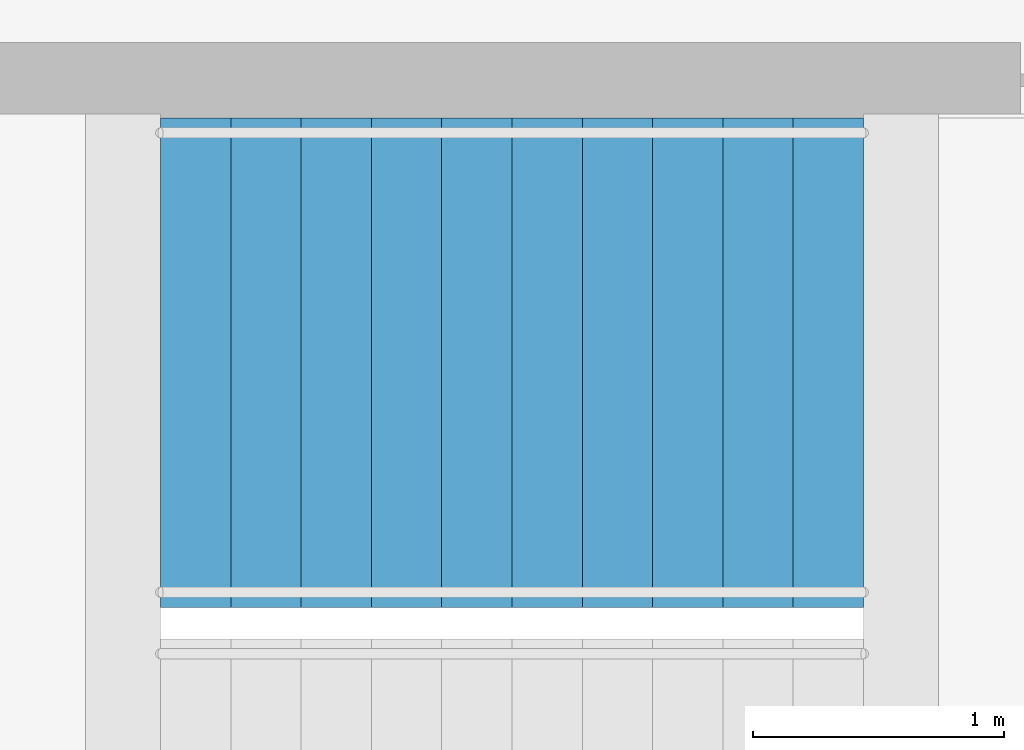
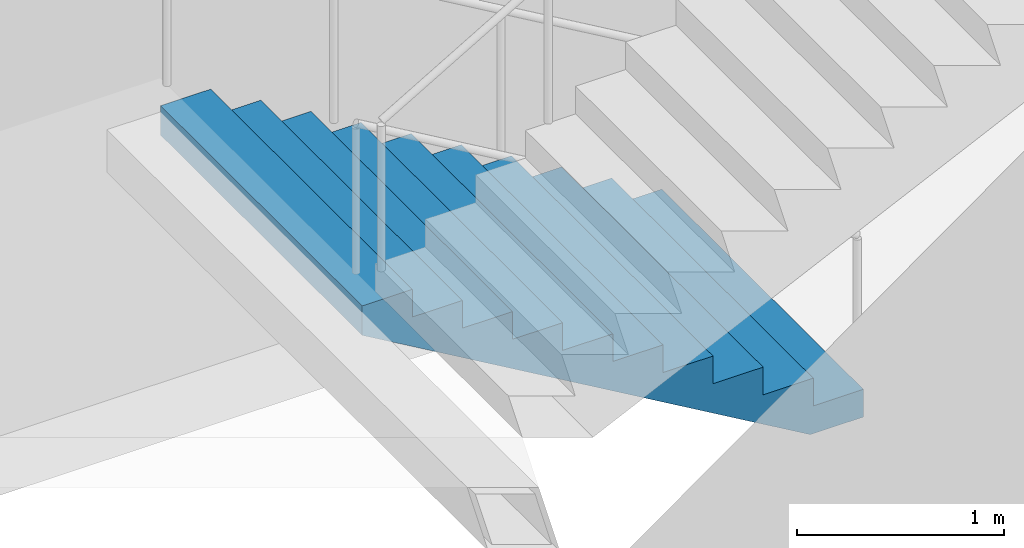
# One storey, part 20 of 22: 1 stair flight, 1 element without a shape of its own.
"""IFC4 building model written with IfcOpenShell, lengths in metres."""

from ifc_helpers import new_model, si_unit, direction, frame, origin, place, context, subcontext, project, spatial, triangles, material, type_object, element, aggregate, save


model = new_model("IFC4")

# Units and contexts
model_context = context("Model", 3, precision=1e-05, world=origin(), true_north=direction((0.0, 1.0)))
body_context = subcontext(model_context, "Body", "Model", "MODEL_VIEW")
ifc_project = project(units=[si_unit("LENGTHUNIT", "METRE"), si_unit("AREAUNIT", "SQUARE_METRE"), si_unit("VOLUMEUNIT", "CUBIC_METRE"), si_unit("PLANEANGLEUNIT", "RADIAN"), si_unit("MASSUNIT", "GRAM", prefix="KILO")], contexts=[model_context])

# Site, building, storey
site_placement = place(None, origin())
site = spatial("IfcSite", under=ifc_project, at=site_placement, CompositionType="ELEMENT")
building_placement = place(site_placement, origin())
building = spatial("IfcBuilding", under=site, at=building_placement, Name="Orbita Commons", CompositionType="ELEMENT")
storey_placement = place(building_placement, frame((0.0, 0.0, 201.10009765625)))
storey = spatial("IfcBuildingStorey", under=building, at=storey_placement, Name="L50", CompositionType="ELEMENT", Elevation=201.10009765625)

# Stair, stair flight
ifc_material_1 = material(Name="Precast concrete C40/50", Category="concrete")
stair_type = type_object("IfcStairType", Name="Exit stair S2 4 flights 11 risers 164", PredefinedType="HALF_TURN_STAIR", material=ifc_material_1)
stair_placement = place(storey_placement, origin())
stair = element("IfcStair", 1, at=stair_placement, inside=storey, type_object=stair_type, Name="Exit stair S2 L50", PredefinedType="HALF_TURN_STAIR")
ifc_material_2 = material(Name="Precast concrete C40/50", Category="concrete")
stair_flight_type = type_object("IfcStairFlightType", Name="Stair flight 11 risers 164 x 280", PredefinedType="STRAIGHT", material=ifc_material_2)
stair_flight_placement = place(storey_placement, frame((63.550048828125, 29.27490234375, 0.0), z_axis=(0.0, 0.0, 1.0), x_axis=(-1.0, 0.0, 0.0)))
stair_flight = element("IfcStairFlight", 2, at=stair_flight_placement, type_object=stair_flight_type, Name="S2 flight 1", NumberOfRisers=11, NumberOfTreads=10, PredefinedType="STRAIGHT", RiserHeight=0.163636364, TreadLength=0.28, context=body_context, shape_type="Tessellation", body=[
    triangles([(0.0, 0.974976, 0.0), (0.0, 0.974976, 0.020455), (0.0, 0.81248, 0.020455), (0.0, 0.81248, 0.0), (0.0, 0.649984, 0.020455), (0.0, 0.649984, 0.0), (0.0, 0.487488, 0.020455), (0.0, 0.487488, 0.0), (0.0, 0.324992, 0.020455), (0.0, 0.324992, 0.0), (0.0, 0.162496, 0.020455), (0.0, 0.162496, 0.0), (0.0, 0.0, 0.020455), (0.0, 0.0, 0.0), (0.0, -0.162496, 0.020455), (0.0, -0.162496, 0.0), (0.0, -0.324992, 0.020455), (0.0, -0.324992, 0.0), (0.0, -0.487488, 0.020455), (0.0, -0.487488, 0.0), (0.0, -0.649984, 0.020455), (0.0, -0.649984, 0.0), (0.0, -0.81248, 0.020455), (0.0, -0.81248, 0.0), (0.0, -0.974976, 0.020455), (0.0, -0.974976, 0.0), (0.0, 0.974976, 0.040909), (0.0, 0.81248, 0.040909), (0.0, 0.649984, 0.040909), (0.0, 0.487488, 0.040909), (0.0, 0.324992, 0.040909), (0.0, 0.162496, 0.040909), (0.0, 0.0, 0.040909), (0.0, -0.162496, 0.040909), (0.0, -0.324992, 0.040909), (0.0, -0.487488, 0.040909), (0.0, -0.649984, 0.040909), (0.0, -0.81248, 0.040909), (0.0, -0.974976, 0.040909), (0.0, 0.974976, 0.061364), (0.0, 0.81248, 0.061364), (0.0, 0.649984, 0.061364), (0.0, 0.487488, 0.061364), (0.0, 0.324992, 0.061364), (0.0, 0.162496, 0.061364), (0.0, 0.0, 0.061364), (0.0, -0.162496, 0.061364), (0.0, -0.324992, 0.061364), (0.0, -0.487488, 0.061364), (0.0, -0.649984, 0.061364), (0.0, -0.81248, 0.061364), (0.0, -0.974976, 0.061364), (0.0, 0.974976, 0.081818), (0.0, 0.81248, 0.081818), (0.0, 0.649984, 0.081818), (0.0, 0.487488, 0.081818), (0.0, 0.324992, 0.081818), (0.0, 0.162496, 0.081818), (0.0, 0.0, 0.081818), (0.0, -0.162496, 0.081818), (0.0, -0.324992, 0.081818), (0.0, -0.487488, 0.081818), (0.0, -0.649984, 0.081818), (0.0, -0.81248, 0.081818), (0.0, -0.974976, 0.081818), (0.0, 0.974976, 0.102273), (0.0, 0.81248, 0.102273), (0.0, 0.649984, 0.102273), (0.0, 0.487488, 0.102273), (0.0, 0.324992, 0.102273), (0.0, 0.162496, 0.102273), (0.0, 0.0, 0.102273), (0.0, -0.162496, 0.102273), (0.0, -0.324992, 0.102273), (0.0, -0.487488, 0.102273), (0.0, -0.649984, 0.102273), (0.0, -0.81248, 0.102273), (0.0, -0.974976, 0.102273), (0.0, 0.974976, 0.122727), (0.0, 0.81248, 0.122727), (0.0, 0.649984, 0.122727), (0.0, 0.487488, 0.122727), (0.0, 0.324992, 0.122727), (0.0, 0.162496, 0.122727), (0.0, 0.0, 0.122727), (0.0, -0.162496, 0.122727), (0.0, -0.324992, 0.122727), (0.0, -0.487488, 0.122727), (0.0, -0.649984, 0.122727), (0.0, -0.81248, 0.122727), (0.0, -0.974976, 0.122727), (0.0, 0.974976, 0.143182), (0.0, 0.81248, 0.143182), (0.0, 0.649984, 0.143182), (0.0, 0.487488, 0.143182), (0.0, 0.324992, 0.143182), (0.0, 0.162496, 0.143182), (0.0, 0.0, 0.143182), (0.0, -0.162496, 0.143182), (0.0, -0.324992, 0.143182), (0.0, -0.487488, 0.143182), (0.0, -0.649984, 0.143182), (0.0, -0.81248, 0.143182), (0.0, -0.974976, 0.143182), (0.0, 0.974976, 0.163636), (0.0, 0.81248, 0.163636), (0.0, 0.649984, 0.163636), (0.0, 0.487488, 0.163636), (0.0, 0.324992, 0.163636), (0.0, 0.162496, 0.163636), (0.0, 0.0, 0.163636), (0.0, -0.162496, 0.163636), (0.0, -0.324992, 0.163636), (0.0, -0.487488, 0.163636), (0.0, -0.649984, 0.163636), (0.0, -0.81248, 0.163636), (0.0, -0.974976, 0.163636), (0.28, 0.974976, 0.163636), (0.28, 0.81248, 0.163636), (0.28, 0.649984, 0.163636), (0.28, 0.487488, 0.163636), (0.28, 0.324992, 0.163636), (0.28, 0.162496, 0.163636), (0.28, 0.0, 0.163636), (0.28, -0.162496, 0.163636), (0.28, -0.324992, 0.163636), (0.28, -0.487488, 0.163636), (0.28, -0.649984, 0.163636), (0.28, -0.81248, 0.163636), (0.28, -0.974976, 0.163636), (0.28, 0.974976, 0.327273), (0.28, 0.81248, 0.327273), (0.28, 0.649984, 0.327273), (0.28, 0.487488, 0.327273), (0.28, 0.324992, 0.327273), (0.28, 0.162496, 0.327273), (0.28, 0.0, 0.327273), (0.28, -0.162496, 0.327273), (0.28, -0.324992, 0.327273), (0.28, -0.487488, 0.327273), (0.28, -0.649984, 0.327273), (0.28, -0.81248, 0.327273), (0.28, -0.974976, 0.327273), (0.56, 0.974976, 0.327273), (0.56, 0.81248, 0.327273), (0.56, 0.649984, 0.327273), (0.56, 0.487488, 0.327273), (0.56, 0.324992, 0.327273), (0.56, 0.162496, 0.327273), (0.56, 0.0, 0.327273), (0.56, -0.162496, 0.327273), (0.56, -0.324992, 0.327273), (0.56, -0.487488, 0.327273), (0.56, -0.649984, 0.327273), (0.56, -0.81248, 0.327273), (0.56, -0.974976, 0.327273), (0.56, 0.974976, 0.490909), (0.56, 0.81248, 0.490909), (0.56, 0.649984, 0.490909), (0.56, 0.487488, 0.490909), (0.56, 0.324992, 0.490909), (0.56, 0.162496, 0.490909), (0.56, 0.0, 0.490909), (0.56, -0.162496, 0.490909), (0.56, -0.324992, 0.490909), (0.56, -0.487488, 0.490909), (0.56, -0.649984, 0.490909), (0.56, -0.81248, 0.490909), (0.56, -0.974976, 0.490909), (0.84, 0.974976, 0.490909), (0.84, 0.81248, 0.490909), (0.84, 0.649984, 0.490909), (0.84, 0.487488, 0.490909), (0.84, 0.324992, 0.490909), (0.84, 0.162496, 0.490909), (0.84, 0.0, 0.490909), (0.84, -0.162496, 0.490909), (0.84, -0.324992, 0.490909), (0.84, -0.487488, 0.490909), (0.84, -0.649984, 0.490909), (0.84, -0.81248, 0.490909), (0.84, -0.974976, 0.490909), (0.84, 0.974976, 0.654545), (0.84, 0.81248, 0.654545), (0.84, 0.649984, 0.654545), (0.84, 0.487488, 0.654545), (0.84, 0.324992, 0.654545), (0.84, 0.162496, 0.654545), (0.84, 0.0, 0.654545), (0.84, -0.162496, 0.654545), (0.84, -0.324992, 0.654545), (0.84, -0.487488, 0.654545), (0.84, -0.649984, 0.654545), (0.84, -0.81248, 0.654545), (0.84, -0.974976, 0.654545), (1.12, 0.974976, 0.654545), (1.12, 0.81248, 0.654545), (1.12, 0.649984, 0.654545), (1.12, 0.487488, 0.654545), (1.12, 0.324992, 0.654545), (1.12, 0.162496, 0.654545), (1.12, 0.0, 0.654545), (1.12, -0.162496, 0.654545), (1.12, -0.324992, 0.654545), (1.12, -0.487488, 0.654545), (1.12, -0.649984, 0.654545), (1.12, -0.81248, 0.654545), (1.12, -0.974976, 0.654545), (1.12, 0.974976, 0.818182), (1.12, 0.81248, 0.818182), (1.12, 0.649984, 0.818182), (1.12, 0.487488, 0.818182), (1.12, 0.324992, 0.818182), (1.12, 0.162496, 0.818182), (1.12, 0.0, 0.818182), (1.12, -0.162496, 0.818182), (1.12, -0.324992, 0.818182), (1.12, -0.487488, 0.818182), (1.12, -0.649984, 0.818182), (1.12, -0.81248, 0.818182), (1.12, -0.974976, 0.818182), (1.4, 0.974976, 0.818182), (1.4, 0.81248, 0.818182), (1.4, 0.649984, 0.818182), (1.4, 0.487488, 0.818182), (1.4, 0.324992, 0.818182), (1.4, 0.162496, 0.818182), (1.4, 0.0, 0.818182), (1.4, -0.162496, 0.818182), (1.4, -0.324992, 0.818182), (1.4, -0.487488, 0.818182), (1.4, -0.649984, 0.818182), (1.4, -0.81248, 0.818182), (1.4, -0.974976, 0.818182), (1.4, 0.974976, 0.981818), (1.4, 0.81248, 0.981818), (1.4, 0.649984, 0.981818), (1.4, 0.487488, 0.981818), (1.4, 0.324992, 0.981818), (1.4, 0.162496, 0.981818), (1.4, 0.0, 0.981818), (1.4, -0.162496, 0.981818), (1.4, -0.324992, 0.981818), (1.4, -0.487488, 0.981818), (1.4, -0.649984, 0.981818), (1.4, -0.81248, 0.981818), (1.4, -0.974976, 0.981818), (1.68, 0.974976, 0.981818), (1.68, 0.81248, 0.981818), (1.68, 0.649984, 0.981818), (1.68, 0.487488, 0.981818), (1.68, 0.324992, 0.981818), (1.68, 0.162496, 0.981818), (1.68, 0.0, 0.981818), (1.68, -0.162496, 0.981818), (1.68, -0.324992, 0.981818), (1.68, -0.487488, 0.981818), (1.68, -0.649984, 0.981818), (1.68, -0.81248, 0.981818), (1.68, -0.974976, 0.981818), (1.68, 0.974976, 1.145455), (1.68, 0.81248, 1.145455), (1.68, 0.649984, 1.145455), (1.68, 0.487488, 1.145455), (1.68, 0.324992, 1.145455), (1.68, 0.162496, 1.145455), (1.68, 0.0, 1.145455), (1.68, -0.162496, 1.145455), (1.68, -0.324992, 1.145455), (1.68, -0.487488, 1.145455), (1.68, -0.649984, 1.145455), (1.68, -0.81248, 1.145455), (1.68, -0.974976, 1.145455), (1.96, 0.974976, 1.145455), (1.96, 0.81248, 1.145455), (1.96, 0.649984, 1.145455), (1.96, 0.487488, 1.145455), (1.96, 0.324992, 1.145455), (1.96, 0.162496, 1.145455), (1.96, 0.0, 1.145455), (1.96, -0.162496, 1.145455), (1.96, -0.324992, 1.145455), (1.96, -0.487488, 1.145455), (1.96, -0.649984, 1.145455), (1.96, -0.81248, 1.145455), (1.96, -0.974976, 1.145455), (1.96, 0.974976, 1.309091), (1.96, 0.81248, 1.309091), (1.96, 0.649984, 1.309091), (1.96, 0.487488, 1.309091), (1.96, 0.324992, 1.309091), (1.96, 0.162496, 1.309091), (1.96, 0.0, 1.309091), (1.96, -0.162496, 1.309091), (1.96, -0.324992, 1.309091), (1.96, -0.487488, 1.309091), (1.96, -0.649984, 1.309091), (1.96, -0.81248, 1.309091), (1.96, -0.974976, 1.309091), (2.24, 0.974976, 1.309091), (2.24, 0.81248, 1.309091), (2.24, 0.649984, 1.309091), (2.24, 0.487488, 1.309091), (2.24, 0.324992, 1.309091), (2.24, 0.162496, 1.309091), (2.24, 0.0, 1.309091), (2.24, -0.162496, 1.309091), (2.24, -0.324992, 1.309091), (2.24, -0.487488, 1.309091), (2.24, -0.649984, 1.309091), (2.24, -0.81248, 1.309091), (2.24, -0.974976, 1.309091), (2.24, 0.974976, 1.472727), (2.24, 0.81248, 1.472727), (2.24, 0.649984, 1.472727), (2.24, 0.487488, 1.472727), (2.24, 0.324992, 1.472727), (2.24, 0.162496, 1.472727), (2.24, 0.0, 1.472727), (2.24, -0.162496, 1.472727), (2.24, -0.324992, 1.472727), (2.24, -0.487488, 1.472727), (2.24, -0.649984, 1.472727), (2.24, -0.81248, 1.472727), (2.24, -0.974976, 1.472727), (2.52, 0.974976, 1.472727), (2.52, 0.81248, 1.472727), (2.52, 0.649984, 1.472727), (2.52, 0.487488, 1.472727), (2.52, 0.324992, 1.472727), (2.52, 0.162496, 1.472727), (2.52, 0.0, 1.472727), (2.52, -0.162496, 1.472727), (2.52, -0.324992, 1.472727), (2.52, -0.487488, 1.472727), (2.52, -0.649984, 1.472727), (2.52, -0.81248, 1.472727), (2.52, -0.974976, 1.472727), (2.52, 0.974976, 1.636364), (2.52, 0.81248, 1.636364), (2.52, 0.649984, 1.636364), (2.52, 0.487488, 1.636364), (2.52, 0.324992, 1.636364), (2.52, 0.162496, 1.636364), (2.52, 0.0, 1.636364), (2.52, -0.162496, 1.636364), (2.52, -0.324992, 1.636364), (2.52, -0.487488, 1.636364), (2.52, -0.649984, 1.636364), (2.52, -0.81248, 1.636364), (2.52, -0.974976, 1.636364), (2.8, 0.974976, 1.636364), (2.8, 0.81248, 1.636364), (2.8, 0.649984, 1.636364), (2.8, 0.487488, 1.636364), (2.8, 0.324992, 1.636364), (2.8, 0.162496, 1.636364), (2.8, 0.0, 1.636364), (2.8, -0.162496, 1.636364), (2.8, -0.324992, 1.636364), (2.8, -0.487488, 1.636364), (2.8, -0.649984, 1.636364), (2.8, -0.81248, 1.636364), (2.8, -0.974976, 1.636364), (2.8, 0.974976, 1.614661), (2.8, 0.81248, 1.614661), (2.8, 0.649984, 1.614661), (2.8, 0.487488, 1.614661), (2.8, 0.324992, 1.614661), (2.8, 0.162496, 1.614661), (2.8, 0.0, 1.614661), (2.8, -0.162496, 1.614661), (2.8, -0.324992, 1.614661), (2.8, -0.487488, 1.614661), (2.8, -0.649984, 1.614661), (2.8, -0.81248, 1.614661), (2.8, -0.974976, 1.614661), (2.8, 0.974976, 1.592958), (2.8, 0.81248, 1.592958), (2.8, 0.649984, 1.592958), (2.8, 0.487488, 1.592958), (2.8, 0.324992, 1.592958), (2.8, 0.162496, 1.592958), (2.8, 0.0, 1.592958), (2.8, -0.162496, 1.592958), (2.8, -0.324992, 1.592958), (2.8, -0.487488, 1.592958), (2.8, -0.649984, 1.592958), (2.8, -0.81248, 1.592958), (2.8, -0.974976, 1.592958), (2.8, 0.974976, 1.571255), (2.8, 0.81248, 1.571255), (2.8, 0.649984, 1.571255), (2.8, 0.487488, 1.571255), (2.8, 0.324992, 1.571255), (2.8, 0.162496, 1.571255), (2.8, 0.0, 1.571255), (2.8, -0.162496, 1.571255), (2.8, -0.324992, 1.571255), (2.8, -0.487488, 1.571255), (2.8, -0.649984, 1.571255), (2.8, -0.81248, 1.571255), (2.8, -0.974976, 1.571255), (2.8, 0.974976, 1.549551), (2.8, 0.81248, 1.549551), (2.8, 0.649984, 1.549551), (2.8, 0.487488, 1.549551), (2.8, 0.324992, 1.549551), (2.8, 0.162496, 1.549551), (2.8, 0.0, 1.549551), (2.8, -0.162496, 1.549551), (2.8, -0.324992, 1.549551), (2.8, -0.487488, 1.549551), (2.8, -0.649984, 1.549551), (2.8, -0.81248, 1.549551), (2.8, -0.974976, 1.549551), (2.8, 0.974976, 1.527848), (2.8, 0.81248, 1.527848), (2.8, 0.649984, 1.527848), (2.8, 0.487488, 1.527848), (2.8, 0.324992, 1.527848), (2.8, 0.162496, 1.527848), (2.8, 0.0, 1.527848), (2.8, -0.162496, 1.527848), (2.8, -0.324992, 1.527848), (2.8, -0.487488, 1.527848), (2.8, -0.649984, 1.527848), (2.8, -0.81248, 1.527848), (2.8, -0.974976, 1.527848), (2.8, 0.974976, 1.506145), (2.8, 0.81248, 1.506145), (2.8, 0.649984, 1.506145), (2.8, 0.487488, 1.506145), (2.8, 0.324992, 1.506145), (2.8, 0.162496, 1.506145), (2.8, 0.0, 1.506145), (2.8, -0.162496, 1.506145), (2.8, -0.324992, 1.506145), (2.8, -0.487488, 1.506145), (2.8, -0.649984, 1.506145), (2.8, -0.81248, 1.506145), (2.8, -0.974976, 1.506145), (2.8, 0.974976, 1.484442), (2.8, 0.81248, 1.484442), (2.8, 0.649984, 1.484442), (2.8, 0.487488, 1.484442), (2.8, 0.324992, 1.484442), (2.8, 0.162496, 1.484442), (2.8, 0.0, 1.484442), (2.8, -0.162496, 1.484442), (2.8, -0.324992, 1.484442), (2.8, -0.487488, 1.484442), (2.8, -0.649984, 1.484442), (2.8, -0.81248, 1.484442), (2.8, -0.974976, 1.484442), (2.8, 0.974976, 1.462739), (2.8, 0.81248, 1.462739), (2.8, 0.649984, 1.462739), (2.8, 0.487488, 1.462739), (2.8, 0.324992, 1.462739), (2.8, 0.162496, 1.462739), (2.8, 0.0, 1.462739), (2.8, -0.162496, 1.462739), (2.8, -0.324992, 1.462739), (2.8, -0.487488, 1.462739), (2.8, -0.649984, 1.462739), (2.8, -0.81248, 1.462739), (2.8, -0.974976, 1.462739), (0.29709, 0.974976, 0.0), (0.29709, 0.81248, 0.0), (0.29709, 0.649984, 0.0), (0.29709, 0.487488, 0.0), (0.29709, 0.324992, 0.0), (0.29709, 0.162496, 0.0), (0.29709, 0.0, 0.0), (0.29709, -0.162496, 0.0), (0.29709, -0.324992, 0.0), (0.29709, -0.487488, 0.0), (0.29709, -0.649984, 0.0), (0.29709, -0.81248, 0.0), (0.29709, -0.974976, 0.0)], [[3, 2, 1], [4, 3, 1], [5, 3, 4], [6, 5, 4], [7, 5, 6], [8, 7, 6], [9, 7, 8], [10, 9, 8], [11, 9, 10], [12, 11, 10], [13, 11, 12], [14, 13, 12], [15, 13, 14], [16, 15, 14], [17, 15, 16], [18, 17, 16], [19, 17, 18], [20, 19, 18], [21, 19, 20], [22, 21, 20], [23, 21, 22], [24, 23, 22], [25, 23, 24], [26, 25, 24], [28, 27, 2], [3, 28, 2], [29, 28, 3], [5, 29, 3], [30, 29, 5], [7, 30, 5], [31, 30, 7], [9, 31, 7], [32, 31, 9], [11, 32, 9], [33, 32, 11], [13, 33, 11], [34, 33, 13], [15, 34, 13], [35, 34, 15], [17, 35, 15], [36, 35, 17], [19, 36, 17], [37, 36, 19], [21, 37, 19], [38, 37, 21], [23, 38, 21], [39, 38, 23], [25, 39, 23], [41, 40, 27], [28, 41, 27], [42, 41, 28], [29, 42, 28], [43, 42, 29], [30, 43, 29], [44, 43, 30], [31, 44, 30], [45, 44, 31], [32, 45, 31], [46, 45, 32], [33, 46, 32], [47, 46, 33], [34, 47, 33], [48, 47, 34], [35, 48, 34], [49, 48, 35], [36, 49, 35], [50, 49, 36], [37, 50, 36], [51, 50, 37], [38, 51, 37], [52, 51, 38], [39, 52, 38], [54, 53, 40], [41, 54, 40], [55, 54, 41], [42, 55, 41], [56, 55, 42], [43, 56, 42], [57, 56, 43], [44, 57, 43], [58, 57, 44], [45, 58, 44], [59, 58, 45], [46, 59, 45], [60, 59, 46], [47, 60, 46], [61, 60, 47], [48, 61, 47], [62, 61, 48], [49, 62, 48], [63, 62, 49], [50, 63, 49], [64, 63, 50], [51, 64, 50], [65, 64, 51], [52, 65, 51], [67, 66, 53], [54, 67, 53], [68, 67, 54], [55, 68, 54], [69, 68, 55], [56, 69, 55], [70, 69, 56], [57, 70, 56], [71, 70, 57], [58, 71, 57], [72, 71, 58], [59, 72, 58], [73, 72, 59], [60, 73, 59], [74, 73, 60], [61, 74, 60], [75, 74, 61], [62, 75, 61], [76, 75, 62], [63, 76, 62], [77, 76, 63], [64, 77, 63], [78, 77, 64], [65, 78, 64], [80, 79, 66], [67, 80, 66], [81, 80, 67], [68, 81, 67], [82, 81, 68], [69, 82, 68], [83, 82, 69], [70, 83, 69], [84, 83, 70], [71, 84, 70], [85, 84, 71], [72, 85, 71], [86, 85, 72], [73, 86, 72], [87, 86, 73], [74, 87, 73], [88, 87, 74], [75, 88, 74], [89, 88, 75], [76, 89, 75], [90, 89, 76], [77, 90, 76], [91, 90, 77], [78, 91, 77], [93, 92, 79], [80, 93, 79], [94, 93, 80], [81, 94, 80], [95, 94, 81], [82, 95, 81], [96, 95, 82], [83, 96, 82], [97, 96, 83], [84, 97, 83], [98, 97, 84], [85, 98, 84], [99, 98, 85], [86, 99, 85], [100, 99, 86], [87, 100, 86], [101, 100, 87], [88, 101, 87], [102, 101, 88], [89, 102, 88], [103, 102, 89], [90, 103, 89], [104, 103, 90], [91, 104, 90], [106, 105, 92], [93, 106, 92], [107, 106, 93], [94, 107, 93], [108, 107, 94], [95, 108, 94], [109, 108, 95], [96, 109, 95], [110, 109, 96], [97, 110, 96], [111, 110, 97], [98, 111, 97], [112, 111, 98], [99, 112, 98], [113, 112, 99], [100, 113, 99], [114, 113, 100], [101, 114, 100], [115, 114, 101], [102, 115, 101], [116, 115, 102], [103, 116, 102], [117, 116, 103], [104, 117, 103], [119, 118, 105], [106, 119, 105], [120, 119, 106], [107, 120, 106], [121, 120, 107], [108, 121, 107], [122, 121, 108], [109, 122, 108], [123, 122, 109], [110, 123, 109], [124, 123, 110], [111, 124, 110], [125, 124, 111], [112, 125, 111], [126, 125, 112], [113, 126, 112], [127, 126, 113], [114, 127, 113], [128, 127, 114], [115, 128, 114], [129, 128, 115], [116, 129, 115], [130, 129, 116], [117, 130, 116], [132, 131, 118], [119, 132, 118], [133, 132, 119], [120, 133, 119], [134, 133, 120], [121, 134, 120], [135, 134, 121], [122, 135, 121], [136, 135, 122], [123, 136, 122], [137, 136, 123], [124, 137, 123], [138, 137, 124], [125, 138, 124], [139, 138, 125], [126, 139, 125], [140, 139, 126], [127, 140, 126], [141, 140, 127], [128, 141, 127], [142, 141, 128], [129, 142, 128], [143, 142, 129], [130, 143, 129], [145, 144, 131], [132, 145, 131], [146, 145, 132], [133, 146, 132], [147, 146, 133], [134, 147, 133], [148, 147, 134], [135, 148, 134], [149, 148, 135], [136, 149, 135], [150, 149, 136], [137, 150, 136], [151, 150, 137], [138, 151, 137], [152, 151, 138], [139, 152, 138], [153, 152, 139], [140, 153, 139], [154, 153, 140], [141, 154, 140], [155, 154, 141], [142, 155, 141], [156, 155, 142], [143, 156, 142], [158, 157, 144], [145, 158, 144], [159, 158, 145], [146, 159, 145], [160, 159, 146], [147, 160, 146], [161, 160, 147], [148, 161, 147], [162, 161, 148], [149, 162, 148], [163, 162, 149], [150, 163, 149], [164, 163, 150], [151, 164, 150], [165, 164, 151], [152, 165, 151], [166, 165, 152], [153, 166, 152], [167, 166, 153], [154, 167, 153], [168, 167, 154], [155, 168, 154], [169, 168, 155], [156, 169, 155], [171, 170, 157], [158, 171, 157], [172, 171, 158], [159, 172, 158], [173, 172, 159], [160, 173, 159], [174, 173, 160], [161, 174, 160], [175, 174, 161], [162, 175, 161], [176, 175, 162], [163, 176, 162], [177, 176, 163], [164, 177, 163], [178, 177, 164], [165, 178, 164], [179, 178, 165], [166, 179, 165], [180, 179, 166], [167, 180, 166], [181, 180, 167], [168, 181, 167], [182, 181, 168], [169, 182, 168], [184, 183, 170], [171, 184, 170], [185, 184, 171], [172, 185, 171], [186, 185, 172], [173, 186, 172], [187, 186, 173], [174, 187, 173], [188, 187, 174], [175, 188, 174], [189, 188, 175], [176, 189, 175], [190, 189, 176], [177, 190, 176], [191, 190, 177], [178, 191, 177], [192, 191, 178], [179, 192, 178], [193, 192, 179], [180, 193, 179], [194, 193, 180], [181, 194, 180], [195, 194, 181], [182, 195, 181], [197, 196, 183], [184, 197, 183], [198, 197, 184], [185, 198, 184], [199, 198, 185], [186, 199, 185], [200, 199, 186], [187, 200, 186], [201, 200, 187], [188, 201, 187], [202, 201, 188], [189, 202, 188], [203, 202, 189], [190, 203, 189], [204, 203, 190], [191, 204, 190], [205, 204, 191], [192, 205, 191], [206, 205, 192], [193, 206, 192], [207, 206, 193], [194, 207, 193], [208, 207, 194], [195, 208, 194], [210, 209, 196], [197, 210, 196], [211, 210, 197], [198, 211, 197], [212, 211, 198], [199, 212, 198], [213, 212, 199], [200, 213, 199], [214, 213, 200], [201, 214, 200], [215, 214, 201], [202, 215, 201], [216, 215, 202], [203, 216, 202], [217, 216, 203], [204, 217, 203], [218, 217, 204], [205, 218, 204], [219, 218, 205], [206, 219, 205], [220, 219, 206], [207, 220, 206], [221, 220, 207], [208, 221, 207], [223, 222, 209], [210, 223, 209], [224, 223, 210], [211, 224, 210], [225, 224, 211], [212, 225, 211], [226, 225, 212], [213, 226, 212], [227, 226, 213], [214, 227, 213], [228, 227, 214], [215, 228, 214], [229, 228, 215], [216, 229, 215], [230, 229, 216], [217, 230, 216], [231, 230, 217], [218, 231, 217], [232, 231, 218], [219, 232, 218], [233, 232, 219], [220, 233, 219], [234, 233, 220], [221, 234, 220], [236, 235, 222], [223, 236, 222], [237, 236, 223], [224, 237, 223], [238, 237, 224], [225, 238, 224], [239, 238, 225], [226, 239, 225], [240, 239, 226], [227, 240, 226], [241, 240, 227], [228, 241, 227], [242, 241, 228], [229, 242, 228], [243, 242, 229], [230, 243, 229], [244, 243, 230], [231, 244, 230], [245, 244, 231], [232, 245, 231], [246, 245, 232], [233, 246, 232], [247, 246, 233], [234, 247, 233], [249, 248, 235], [236, 249, 235], [250, 249, 236], [237, 250, 236], [251, 250, 237], [238, 251, 237], [252, 251, 238], [239, 252, 238], [253, 252, 239], [240, 253, 239], [254, 253, 240], [241, 254, 240], [255, 254, 241], [242, 255, 241], [256, 255, 242], [243, 256, 242], [257, 256, 243], [244, 257, 243], [258, 257, 244], [245, 258, 244], [259, 258, 245], [246, 259, 245], [260, 259, 246], [247, 260, 246], [262, 261, 248], [249, 262, 248], [263, 262, 249], [250, 263, 249], [264, 263, 250], [251, 264, 250], [265, 264, 251], [252, 265, 251], [266, 265, 252], [253, 266, 252], [267, 266, 253], [254, 267, 253], [268, 267, 254], [255, 268, 254], [269, 268, 255], [256, 269, 255], [270, 269, 256], [257, 270, 256], [271, 270, 257], [258, 271, 257], [272, 271, 258], [259, 272, 258], [273, 272, 259], [260, 273, 259], [275, 274, 261], [262, 275, 261], [276, 275, 262], [263, 276, 262], [277, 276, 263], [264, 277, 263], [278, 277, 264], [265, 278, 264], [279, 278, 265], [266, 279, 265], [280, 279, 266], [267, 280, 266], [281, 280, 267], [268, 281, 267], [282, 281, 268], [269, 282, 268], [283, 282, 269], [270, 283, 269], [284, 283, 270], [271, 284, 270], [285, 284, 271], [272, 285, 271], [286, 285, 272], [273, 286, 272], [288, 287, 274], [275, 288, 274], [289, 288, 275], [276, 289, 275], [290, 289, 276], [277, 290, 276], [291, 290, 277], [278, 291, 277], [292, 291, 278], [279, 292, 278], [293, 292, 279], [280, 293, 279], [294, 293, 280], [281, 294, 280], [295, 294, 281], [282, 295, 281], [296, 295, 282], [283, 296, 282], [297, 296, 283], [284, 297, 283], [298, 297, 284], [285, 298, 284], [299, 298, 285], [286, 299, 285], [301, 300, 287], [288, 301, 287], [302, 301, 288], [289, 302, 288], [303, 302, 289], [290, 303, 289], [304, 303, 290], [291, 304, 290], [305, 304, 291], [292, 305, 291], [306, 305, 292], [293, 306, 292], [307, 306, 293], [294, 307, 293], [308, 307, 294], [295, 308, 294], [309, 308, 295], [296, 309, 295], [310, 309, 296], [297, 310, 296], [311, 310, 297], [298, 311, 297], [312, 311, 298], [299, 312, 298], [314, 313, 300], [301, 314, 300], [315, 314, 301], [302, 315, 301], [316, 315, 302], [303, 316, 302], [317, 316, 303], [304, 317, 303], [318, 317, 304], [305, 318, 304], [319, 318, 305], [306, 319, 305], [320, 319, 306], [307, 320, 306], [321, 320, 307], [308, 321, 307], [322, 321, 308], [309, 322, 308], [323, 322, 309], [310, 323, 309], [324, 323, 310], [311, 324, 310], [325, 324, 311], [312, 325, 311], [327, 326, 313], [314, 327, 313], [328, 327, 314], [315, 328, 314], [329, 328, 315], [316, 329, 315], [330, 329, 316], [317, 330, 316], [331, 330, 317], [318, 331, 317], [332, 331, 318], [319, 332, 318], [333, 332, 319], [320, 333, 319], [334, 333, 320], [321, 334, 320], [335, 334, 321], [322, 335, 321], [336, 335, 322], [323, 336, 322], [337, 336, 323], [324, 337, 323], [338, 337, 324], [325, 338, 324], [340, 339, 326], [327, 340, 326], [341, 340, 327], [328, 341, 327], [342, 341, 328], [329, 342, 328], [343, 342, 329], [330, 343, 329], [344, 343, 330], [331, 344, 330], [345, 344, 331], [332, 345, 331], [346, 345, 332], [333, 346, 332], [347, 346, 333], [334, 347, 333], [348, 347, 334], [335, 348, 334], [349, 348, 335], [336, 349, 335], [350, 349, 336], [337, 350, 336], [351, 350, 337], [338, 351, 337], [353, 352, 339], [340, 353, 339], [354, 353, 340], [341, 354, 340], [355, 354, 341], [342, 355, 341], [356, 355, 342], [343, 356, 342], [357, 356, 343], [344, 357, 343], [358, 357, 344], [345, 358, 344], [359, 358, 345], [346, 359, 345], [360, 359, 346], [347, 360, 346], [361, 360, 347], [348, 361, 347], [362, 361, 348], [349, 362, 348], [363, 362, 349], [350, 363, 349], [364, 363, 350], [351, 364, 350], [366, 365, 352], [353, 366, 352], [367, 366, 353], [354, 367, 353], [368, 367, 354], [355, 368, 354], [369, 368, 355], [356, 369, 355], [370, 369, 356], [357, 370, 356], [371, 370, 357], [358, 371, 357], [372, 371, 358], [359, 372, 358], [373, 372, 359], [360, 373, 359], [374, 373, 360], [361, 374, 360], [375, 374, 361], [362, 375, 361], [376, 375, 362], [363, 376, 362], [377, 376, 363], [364, 377, 363], [379, 378, 365], [366, 379, 365], [380, 379, 366], [367, 380, 366], [381, 380, 367], [368, 381, 367], [382, 381, 368], [369, 382, 368], [383, 382, 369], [370, 383, 369], [384, 383, 370], [371, 384, 370], [385, 384, 371], [372, 385, 371], [386, 385, 372], [373, 386, 372], [387, 386, 373], [374, 387, 373], [388, 387, 374], [375, 388, 374], [389, 388, 375], [376, 389, 375], [390, 389, 376], [377, 390, 376], [392, 391, 378], [379, 392, 378], [393, 392, 379], [380, 393, 379], [394, 393, 380], [381, 394, 380], [395, 394, 381], [382, 395, 381], [396, 395, 382], [383, 396, 382], [397, 396, 383], [384, 397, 383], [398, 397, 384], [385, 398, 384], [399, 398, 385], [386, 399, 385], [400, 399, 386], [387, 400, 386], [401, 400, 387], [388, 401, 387], [402, 401, 388], [389, 402, 388], [403, 402, 389], [390, 403, 389], [405, 404, 391], [392, 405, 391], [406, 405, 392], [393, 406, 392], [407, 406, 393], [394, 407, 393], [408, 407, 394], [395, 408, 394], [409, 408, 395], [396, 409, 395], [410, 409, 396], [397, 410, 396], [411, 410, 397], [398, 411, 397], [412, 411, 398], [399, 412, 398], [413, 412, 399], [400, 413, 399], [414, 413, 400], [401, 414, 400], [415, 414, 401], [402, 415, 401], [416, 415, 402], [403, 416, 402], [418, 417, 404], [405, 418, 404], [419, 418, 405], [406, 419, 405], [420, 419, 406], [407, 420, 406], [421, 420, 407], [408, 421, 407], [422, 421, 408], [409, 422, 408], [423, 422, 409], [410, 423, 409], [424, 423, 410], [411, 424, 410], [425, 424, 411], [412, 425, 411], [426, 425, 412], [413, 426, 412], [427, 426, 413], [414, 427, 413], [428, 427, 414], [415, 428, 414], [429, 428, 415], [416, 429, 415], [431, 430, 417], [418, 431, 417], [432, 431, 418], [419, 432, 418], [433, 432, 419], [420, 433, 419], [434, 433, 420], [421, 434, 420], [435, 434, 421], [422, 435, 421], [436, 435, 422], [423, 436, 422], [437, 436, 423], [424, 437, 423], [438, 437, 424], [425, 438, 424], [439, 438, 425], [426, 439, 425], [440, 439, 426], [427, 440, 426], [441, 440, 427], [428, 441, 427], [442, 441, 428], [429, 442, 428], [444, 443, 430], [431, 444, 430], [445, 444, 431], [432, 445, 431], [446, 445, 432], [433, 446, 432], [447, 446, 433], [434, 447, 433], [448, 447, 434], [435, 448, 434], [449, 448, 435], [436, 449, 435], [450, 449, 436], [437, 450, 436], [451, 450, 437], [438, 451, 437], [452, 451, 438], [439, 452, 438], [453, 452, 439], [440, 453, 439], [454, 453, 440], [441, 454, 440], [455, 454, 441], [442, 455, 441], [457, 456, 443], [444, 457, 443], [458, 457, 444], [445, 458, 444], [459, 458, 445], [446, 459, 445], [460, 459, 446], [447, 460, 446], [461, 460, 447], [448, 461, 447], [462, 461, 448], [449, 462, 448], [463, 462, 449], [450, 463, 449], [464, 463, 450], [451, 464, 450], [465, 464, 451], [452, 465, 451], [466, 465, 452], [453, 466, 452], [467, 466, 453], [454, 467, 453], [468, 467, 454], [455, 468, 454], [470, 469, 456], [457, 470, 456], [471, 470, 457], [458, 471, 457], [472, 471, 458], [459, 472, 458], [473, 472, 459], [460, 473, 459], [474, 473, 460], [461, 474, 460], [475, 474, 461], [462, 475, 461], [476, 475, 462], [463, 476, 462], [477, 476, 463], [464, 477, 463], [478, 477, 464], [465, 478, 464], [479, 478, 465], [466, 479, 465], [480, 479, 466], [467, 480, 466], [481, 480, 467], [468, 481, 467], [4, 1, 469], [470, 4, 469], [6, 4, 470], [471, 6, 470], [8, 6, 471], [472, 8, 471], [10, 8, 472], [473, 10, 472], [12, 10, 473], [474, 12, 473], [14, 12, 474], [475, 14, 474], [16, 14, 475], [476, 16, 475], [18, 16, 476], [477, 18, 476], [20, 18, 477], [478, 20, 477], [22, 20, 478], [479, 22, 478], [24, 22, 479], [480, 24, 479], [26, 24, 480], [481, 26, 480], [456, 469, 1], [26, 481, 468], [443, 456, 1], [26, 468, 455], [430, 443, 1], [26, 455, 442], [417, 430, 1], [26, 442, 429], [404, 417, 1], [26, 429, 416], [391, 404, 1], [26, 416, 403], [378, 391, 1], [26, 403, 390], [365, 378, 1], [26, 390, 377], [339, 352, 365], [377, 364, 351], [326, 339, 365], [377, 351, 338], [300, 313, 326], [338, 325, 312], [300, 326, 365], [377, 338, 312], [274, 287, 300], [312, 299, 286], [274, 300, 365], [377, 312, 286], [248, 261, 274], [286, 273, 260], [248, 274, 365], [377, 286, 260], [222, 235, 248], [260, 247, 234], [222, 248, 365], [377, 260, 234], [196, 209, 222], [234, 221, 208], [196, 222, 365], [377, 234, 208], [170, 183, 196], [208, 195, 182], [170, 196, 365], [377, 208, 182], [144, 157, 170], [182, 169, 156], [144, 170, 365], [377, 182, 156], [118, 131, 144], [156, 143, 130], [118, 144, 365], [377, 156, 130], [118, 365, 1], [26, 377, 130], [92, 105, 118], [130, 117, 104], [79, 92, 118], [130, 104, 91], [66, 79, 118], [130, 91, 78], [53, 66, 118], [130, 78, 65], [40, 53, 118], [130, 65, 52], [27, 40, 118], [130, 52, 39], [2, 27, 118], [130, 39, 25], [1, 2, 118], [130, 25, 26]], closed=True),
])
aggregate(stair, [stair_flight])

save(model, "model.ifc")
